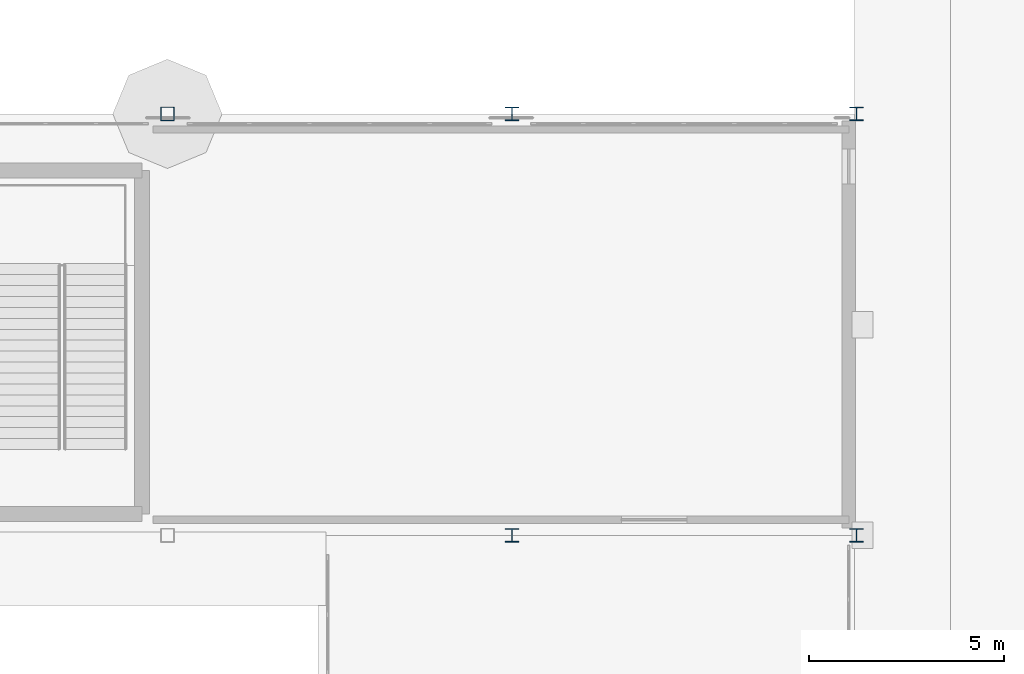
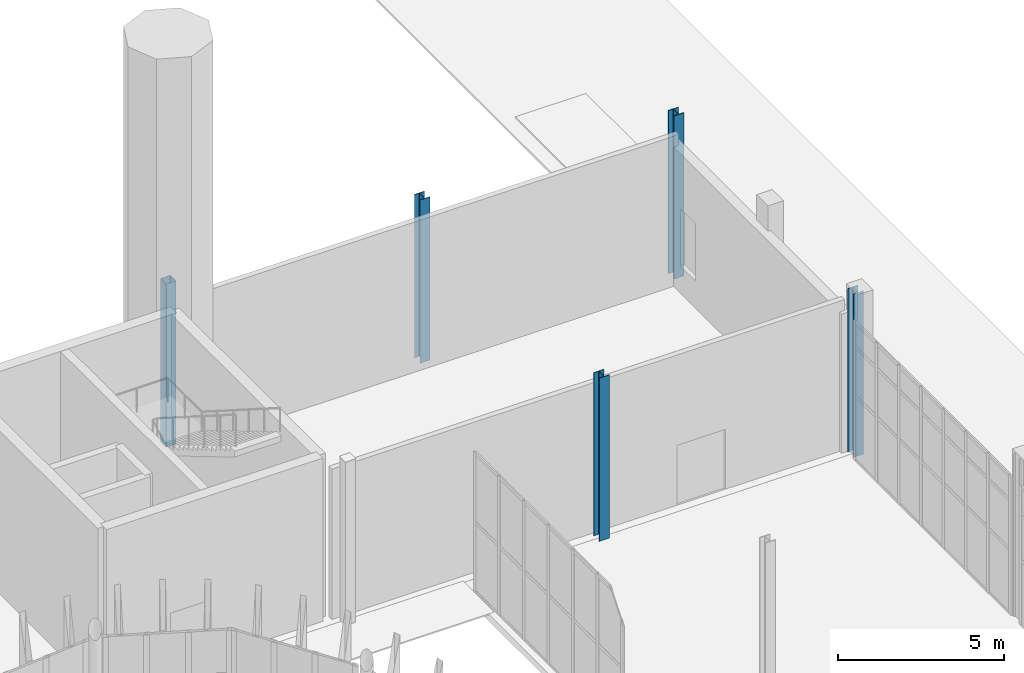
# One storey, part 22 of 139: 5 columns.
"""IFC4 building model written with IfcOpenShell, lengths in metres."""

from ifc_helpers import new_model, si_unit, direction, frame, origin, origin_2d, place, context, subcontext, project, spatial, hollow_rectangle, i_section, extrude, material, material_profile, profile_set, type_object, element, save


model = new_model("IFC4")

# Units and contexts
model_context = context("Model", 3, precision=1e-05, world=origin(), true_north=direction((0.0, 1.0)))
body_context = subcontext(model_context, "Body", "Model", "MODEL_VIEW")
ifc_project = project(units=[si_unit("LENGTHUNIT", "METRE"), si_unit("AREAUNIT", "SQUARE_METRE"), si_unit("VOLUMEUNIT", "CUBIC_METRE"), si_unit("PLANEANGLEUNIT", "RADIAN"), si_unit("MASSUNIT", "GRAM", prefix="KILO")], contexts=[model_context])

# Site, building, storey
site_placement = place(None, origin())
site = spatial("IfcSite", under=ifc_project, at=site_placement, CompositionType="ELEMENT")
building_placement = place(site_placement, origin())
building = spatial("IfcBuilding", under=site, at=building_placement, Name="Yeouljin Market Hall", CompositionType="ELEMENT")
storey_placement = place(building_placement, origin())
storey = spatial("IfcBuildingStorey", under=building, at=storey_placement, Name="L00", CompositionType="ELEMENT", Elevation=0.0)

# Columns
ifc_material_1 = material(Name="Steel SM355", Category="steel")
ifc_material_profile_1 = material_profile(ifc_material_1, i_section(OverallWidth=0.35009765625, OverallDepth=0.35009765625, WebThickness=0.011962890625, FlangeThickness=0.01904296875, FilletRadius=0.02001953125, at=origin_2d()), Name="H-350x350x12x19")
ifc_profile_set_1 = profile_set([ifc_material_profile_1], Name="Steel SM355")
column_type_1 = type_object("IfcColumnType", Name="Col_H-350x350x12x19", PredefinedType="COLUMN", material=ifc_profile_set_1)
for number, where, z_axis, x_axis, name in (
    (1, (167.570068359375, 78.0, 0.0), (0.0, 0.0, 1.0), (1.0, 0.0, 0.0), "Column G-20-08 (L00)"),
    (2, (167.570068359375, 88.800048828125, 0.0), (0.0, 0.0, 1.0), (1.0, 0.0, 0.0), "Column G-20-09 (L00)"),
    (3, (176.39990234375, 78.0, 0.0), (0.0, 0.0, 1.0), (1.0, 0.0, 0.0), "Column G-21-08 (L00)"),
    (4, (176.39990234375, 88.800048828125, 0.0), (0.0, 0.0, 1.0), (1.0, 0.0, 0.0), "Column G-21-09 (L00)"),
):
    element("IfcColumn", number, at=place(storey_placement, frame(where, z_axis=z_axis, x_axis=x_axis)), inside=storey, type_object=column_type_1, Name=name, PredefinedType="COLUMN", context=body_context, shape_type="SweptSolid", body=[
        extrude(i_section(OverallWidth=0.35009765625, OverallDepth=0.35009765625, WebThickness=0.011962890625, FlangeThickness=0.01904296875, FilletRadius=0.02001953125, at=origin_2d()), origin(), (0.0, 0.0, 1.0), 6.0),
    ])
ifc_material_2 = material(Name="Steel SM355", Category="steel")
ifc_material_profile_2 = material_profile(ifc_material_2, hollow_rectangle(XDim=0.35009765625, YDim=0.35009765625, WallThickness=0.011962890625, InnerFilletRadius=0.011962890625, OuterFilletRadius=0.01611328125, at=origin_2d()), Name="SHS-350x350x12")
ifc_profile_set_2 = profile_set([ifc_material_profile_2], Name="Steel SM355")
column_type_2 = type_object("IfcColumnType", Name="Col_SHS-350x350x12", PredefinedType="COLUMN", material=ifc_profile_set_2)
column_placement = place(storey_placement, frame((158.739990234375, 88.800048828125, 0.0), z_axis=(0.0, 0.0, 1.0), x_axis=(1.0, 0.0, 0.0)))
element("IfcColumn", 5, at=column_placement, inside=storey, type_object=column_type_2, Name="Column G-19-09 (L00)", PredefinedType="COLUMN", context=body_context, shape_type="SweptSolid", body=[
    extrude(hollow_rectangle(XDim=0.35009765625, YDim=0.35009765625, WallThickness=0.011962890625, InnerFilletRadius=0.011962890625, OuterFilletRadius=0.01611328125, at=origin_2d()), origin(), (0.0, 0.0, 1.0), 6.0),
])

save(model, "model.ifc")
